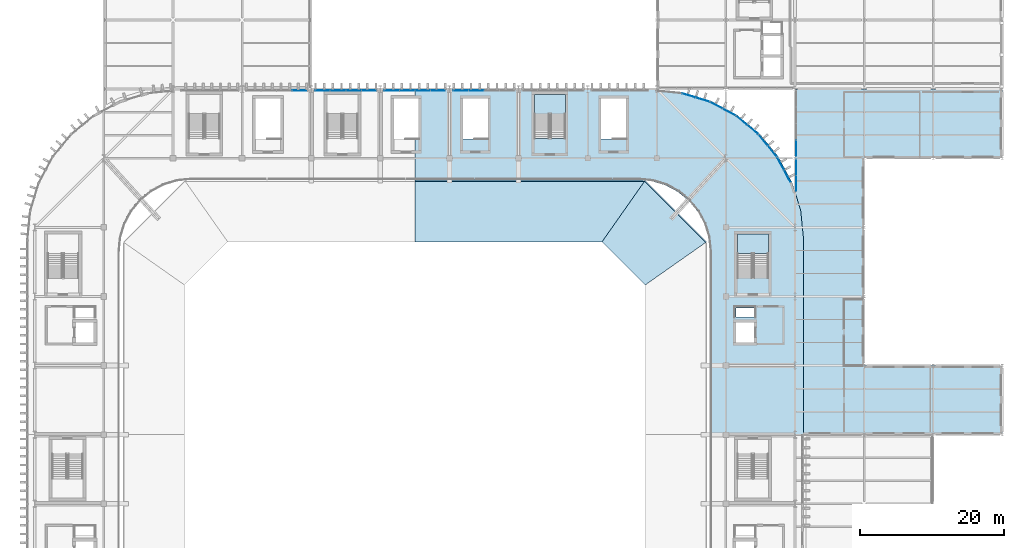
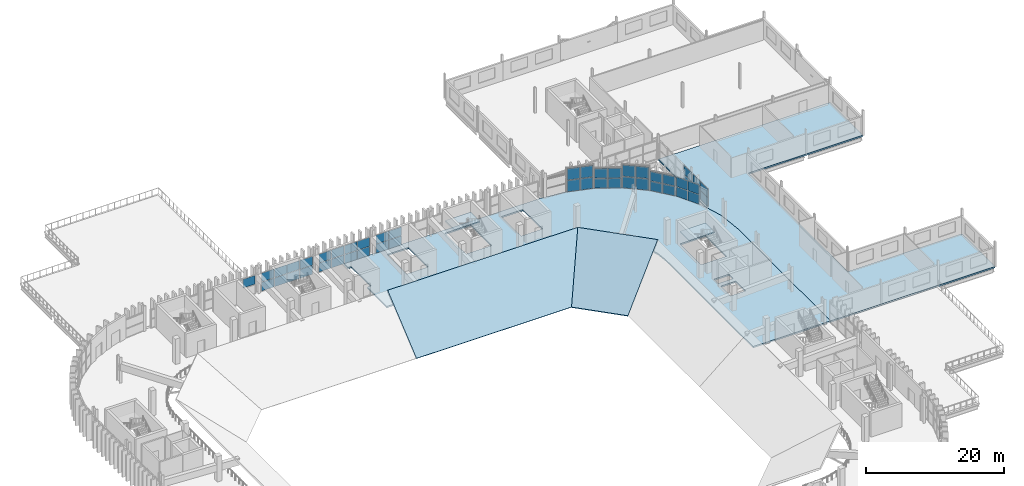
# One storey, part 39 of 69: 47 plates, 6 slabs, 13 elements without a shape of their own.
"""IFC4 building model written with IfcOpenShell, lengths in metres."""

from ifc_helpers import new_model, si_unit, direction, frame, origin, origin_2d, place, context, subcontext, project, spatial, polyline, rectangle, outline, extrude, material, layer, layer_set, type_object, element, aggregate, save


model = new_model("IFC4")

# Units and contexts
model_context = context("Model", 3, precision=1e-05, world=origin(), true_north=direction((0.0, 1.0)))
body_context = subcontext(model_context, "Body", "Model", "MODEL_VIEW")
ifc_project = project(units=[si_unit("LENGTHUNIT", "METRE"), si_unit("AREAUNIT", "SQUARE_METRE"), si_unit("VOLUMEUNIT", "CUBIC_METRE"), si_unit("PLANEANGLEUNIT", "RADIAN"), si_unit("MASSUNIT", "GRAM", prefix="KILO")], contexts=[model_context])

# Site, building, storey
site_placement = place(None, origin())
site = spatial("IfcSite", under=ifc_project, at=site_placement, CompositionType="ELEMENT")
building_placement = place(site_placement, origin())
building = spatial("IfcBuilding", under=site, at=building_placement, Name="Caelomonte Colonnade Arena", CompositionType="ELEMENT")
storey_placement = place(building_placement, frame((0.0, 0.0, 18.60009765625)))
storey = spatial("IfcBuildingStorey", under=building, at=storey_placement, Name="L04", CompositionType="ELEMENT", Elevation=18.60009765625)

# Curtain wall, plates
ifc_material_1 = material(Name="Bronze anodised aluminium and low-E glazing", Category="aluminium")
ifc_layer_1 = layer(ifc_material_1, 0.179931640625)
ifc_layer_set_1 = layer_set([ifc_layer_1], Name="Bronze anodised aluminium and low-E glazing")
curtain_wall_type_1 = type_object("IfcCurtainWallType", Name="ENV-CW-CW-L04-96-33", PredefinedType="USERDEFINED", material=ifc_layer_set_1)
curtain_wall_1_placement = place(storey_placement, origin())
curtain_wall_1 = element("IfcCurtainWall", 1, at=curtain_wall_1_placement, inside=storey, type_object=curtain_wall_type_1, Name="L04 unitized curtain wall CW-L04-1634-1104", ObjectType="UNITIZED CURTAIN WALL", PredefinedType="USERDEFINED")
ifc_material_2 = material(Name="Solar-control bronze low-E double glazing", Category="glass")
ifc_layer_2 = layer(ifc_material_2, 0.035888671875)
ifc_layer_set_2 = layer_set([ifc_layer_2], Name="Solar-control bronze low-E double glazing")
plate_type = type_object("IfcPlateType", Name="ENV-CW-PAN36", PredefinedType="CURTAIN_PANEL", material=ifc_layer_set_2)
plate_1_placement = place(storey_placement, frame((163.3798828125, 106.947998046875, 0.06982421875), z_axis=(0.0, 0.0, 1.0), x_axis=(0.0, -1.0, 0.0)))
plate_1 = element("IfcPlate", 2, at=plate_1_placement, type_object=plate_type, Name="CW-L04-96-33 panel 4.1", PredefinedType="CURTAIN_PANEL", context=body_context, shape_type="SweptSolid", body=[
    extrude(rectangle(XDim=2.2080078125, YDim=0.035888671875, at=origin_2d()), origin(), (0.0, 0.0, 1.0), 1.551513671875),
])
plate_2_placement = place(storey_placement, frame((163.3798828125, 106.947998046875, 1.69140625), z_axis=(0.0, 0.0, 1.0), x_axis=(0.0, -1.0, 0.0)))
plate_2 = element("IfcPlate", 3, at=plate_2_placement, type_object=plate_type, Name="CW-L04-96-33 panel 4.2", PredefinedType="CURTAIN_PANEL", context=body_context, shape_type="SweptSolid", body=[
    extrude(rectangle(XDim=2.2080078125, YDim=0.035888671875, at=origin_2d()), origin(), (0.0, 0.0, 1.0), 1.551513671875),
])
aggregate(curtain_wall_1, [plate_1, plate_2])

ifc_layer_3 = layer(ifc_material_1, 0.179931640625)
ifc_layer_set_3 = layer_set([ifc_layer_3], Name="Bronze anodised aluminium and low-E glazing")
curtain_wall_type_2 = type_object("IfcCurtainWallType", Name="ENV-CW-CW-L04-48-33", PredefinedType="USERDEFINED", material=ifc_layer_set_3)
curtain_wall_2_placement = place(storey_placement, origin())
curtain_wall_2 = element("IfcCurtainWall", 4, at=curtain_wall_2_placement, inside=storey, type_object=curtain_wall_type_2, Name="L04 unitized curtain wall CW-L04-1634-1032", ObjectType="UNITIZED CURTAIN WALL", PredefinedType="USERDEFINED")
plate_3_placement = place(storey_placement, frame((163.3798828125, 104.293212890625, 0.06982421875), z_axis=(0.0, 0.0, 1.0), x_axis=(0.0, -1.0, 0.0)))
plate_3 = element("IfcPlate", 5, at=plate_3_placement, type_object=plate_type, Name="CW-L04-48-33 panel 1.1", PredefinedType="CURTAIN_PANEL", context=body_context, shape_type="SweptSolid", body=[
    extrude(rectangle(XDim=2.125732421875, YDim=0.035888671875, at=origin_2d()), origin(), (0.0, 0.0, 1.0), 1.551513671875),
])
plate_4_placement = place(storey_placement, frame((163.3798828125, 104.293212890625, 1.69140625), z_axis=(0.0, 0.0, 1.0), x_axis=(0.0, -1.0, 0.0)))
plate_4 = element("IfcPlate", 6, at=plate_4_placement, type_object=plate_type, Name="CW-L04-48-33 panel 1.2", PredefinedType="CURTAIN_PANEL", context=body_context, shape_type="SweptSolid", body=[
    extrude(rectangle(XDim=2.125732421875, YDim=0.035888671875, at=origin_2d()), origin(), (0.0, 0.0, 1.0), 1.551513671875),
])
plate_5_placement = place(storey_placement, frame((163.3798828125, 102.097412109375, 0.06982421875), z_axis=(0.0, 0.0, 1.0), x_axis=(0.0, -1.0, 0.0)))
plate_5 = element("IfcPlate", 7, at=plate_5_placement, type_object=plate_type, Name="CW-L04-48-33 panel 2.1", PredefinedType="CURTAIN_PANEL", context=body_context, shape_type="SweptSolid", body=[
    extrude(rectangle(XDim=2.125732421875, YDim=0.035888671875, at=origin_2d()), origin(), (0.0, 0.0, 1.0), 1.551513671875),
])
plate_6_placement = place(storey_placement, frame((163.3798828125, 102.097412109375, 1.69140625), z_axis=(0.0, 0.0, 1.0), x_axis=(0.0, -1.0, 0.0)))
plate_6 = element("IfcPlate", 8, at=plate_6_placement, type_object=plate_type, Name="CW-L04-48-33 panel 2.2", PredefinedType="CURTAIN_PANEL", context=body_context, shape_type="SweptSolid", body=[
    extrude(rectangle(XDim=2.125732421875, YDim=0.035888671875, at=origin_2d()), origin(), (0.0, 0.0, 1.0), 1.551513671875),
])
aggregate(curtain_wall_2, [plate_3, plate_4, plate_5, plate_6])

ifc_layer_4 = layer(ifc_material_1, 0.179931640625)
ifc_layer_set_4 = layer_set([ifc_layer_4], Name="Bronze anodised aluminium and low-E glazing")
curtain_wall_type_3 = type_object("IfcCurtainWallType", Name="ENV-CW-CW-L04-44-36", PredefinedType="USERDEFINED", material=ifc_layer_set_4)
curtain_wall_3_placement = place(storey_placement, origin())
curtain_wall_3 = element("IfcCurtainWall", 9, at=curtain_wall_3_placement, inside=storey, type_object=curtain_wall_type_3, Name="L04 unitized curtain wall CW-L04-1617-1040", ObjectType="UNITIZED CURTAIN WALL", PredefinedType="USERDEFINED")
plate_7_placement = place(storey_placement, frame((162.139892578125, 103.09228515625, 0.070068359375), z_axis=(0.0, 0.0, 1.0), x_axis=(-0.471394212466, 0.881922613642, 0.0)))
plate_7 = element("IfcPlate", 10, at=plate_7_placement, type_object=plate_type, Name="CW-L04-44-36 panel 1.1", PredefinedType="CURTAIN_PANEL", context=body_context, shape_type="SweptSolid", body=[
    extrude(rectangle(XDim=1.913330078125, YDim=0.035888671875, at=origin_2d()), origin(), (0.0, 0.0, 1.0), 1.67578125),
])
plate_8_placement = place(storey_placement, frame((162.139892578125, 103.09228515625, 1.81591796875), z_axis=(0.0, 0.0, 1.0), x_axis=(-0.471394212466, 0.881922613642, 0.0)))
plate_8 = element("IfcPlate", 11, at=plate_8_placement, type_object=plate_type, Name="CW-L04-44-36 panel 1.2", PredefinedType="CURTAIN_PANEL", context=body_context, shape_type="SweptSolid", body=[
    extrude(rectangle(XDim=1.913330078125, YDim=0.035888671875, at=origin_2d()), origin(), (0.0, 0.0, 1.0), 1.67578125),
])
plate_9_placement = place(storey_placement, frame((161.205078125, 104.841552734375, 0.070068359375), z_axis=(0.0, 0.0, 1.0), x_axis=(-0.471394212466, 0.881922613642, 0.0)))
plate_9 = element("IfcPlate", 12, at=plate_9_placement, type_object=plate_type, Name="CW-L04-44-36 panel 2.1", PredefinedType="CURTAIN_PANEL", context=body_context, shape_type="SweptSolid", body=[
    extrude(rectangle(XDim=1.913330078125, YDim=0.035888671875, at=origin_2d()), origin(), (0.0, 0.0, 1.0), 1.67578125),
])
plate_10_placement = place(storey_placement, frame((161.205078125, 104.841552734375, 1.81591796875), z_axis=(0.0, 0.0, 1.0), x_axis=(-0.471394212466, 0.881922613642, 0.0)))
plate_10 = element("IfcPlate", 13, at=plate_10_placement, type_object=plate_type, Name="CW-L04-44-36 panel 2.2", PredefinedType="CURTAIN_PANEL", context=body_context, shape_type="SweptSolid", body=[
    extrude(rectangle(XDim=1.913330078125, YDim=0.035888671875, at=origin_2d()), origin(), (0.0, 0.0, 1.0), 1.67578125),
])
aggregate(curtain_wall_3, [plate_7, plate_8, plate_9, plate_10])

curtain_wall_4_placement = place(storey_placement, origin())
curtain_wall_4 = element("IfcCurtainWall", 14, at=curtain_wall_4_placement, inside=storey, type_object=curtain_wall_type_3, Name="L04 unitized curtain wall CW-L04-1594-1073", ObjectType="UNITIZED CURTAIN WALL", PredefinedType="USERDEFINED")
plate_11_placement = place(storey_placement, frame((160.045166015625, 106.577392578125, 0.070068359375), z_axis=(0.0, 0.0, 1.0), x_axis=(-0.634416071163, 0.772991751994, 0.0)))
plate_11 = element("IfcPlate", 15, at=plate_11_placement, type_object=plate_type, Name="CW-L04-44-36 panel 1.1", PredefinedType="CURTAIN_PANEL", context=body_context, shape_type="SweptSolid", body=[
    extrude(rectangle(XDim=1.913330078125, YDim=0.035888671875, at=origin_2d()), origin(), (0.0, 0.0, 1.0), 1.67578125),
])
plate_12_placement = place(storey_placement, frame((160.045166015625, 106.577392578125, 1.81591796875), z_axis=(0.0, 0.0, 1.0), x_axis=(-0.634416071163, 0.772991751994, 0.0)))
plate_12 = element("IfcPlate", 16, at=plate_12_placement, type_object=plate_type, Name="CW-L04-44-36 panel 1.2", PredefinedType="CURTAIN_PANEL", context=body_context, shape_type="SweptSolid", body=[
    extrude(rectangle(XDim=1.913330078125, YDim=0.035888671875, at=origin_2d()), origin(), (0.0, 0.0, 1.0), 1.67578125),
])
plate_13_placement = place(storey_placement, frame((158.786865234375, 108.1103515625, 0.070068359375), z_axis=(0.0, 0.0, 1.0), x_axis=(-0.634416071163, 0.772991751994, 0.0)))
plate_13 = element("IfcPlate", 17, at=plate_13_placement, type_object=plate_type, Name="CW-L04-44-36 panel 2.1", PredefinedType="CURTAIN_PANEL", context=body_context, shape_type="SweptSolid", body=[
    extrude(rectangle(XDim=1.913330078125, YDim=0.035888671875, at=origin_2d()), origin(), (0.0, 0.0, 1.0), 1.67578125),
])
plate_14_placement = place(storey_placement, frame((158.786865234375, 108.1103515625, 1.81591796875), z_axis=(0.0, 0.0, 1.0), x_axis=(-0.634416071163, 0.772991751994, 0.0)))
plate_14 = element("IfcPlate", 18, at=plate_14_placement, type_object=plate_type, Name="CW-L04-44-36 panel 2.2", PredefinedType="CURTAIN_PANEL", context=body_context, shape_type="SweptSolid", body=[
    extrude(rectangle(XDim=1.913330078125, YDim=0.035888671875, at=origin_2d()), origin(), (0.0, 0.0, 1.0), 1.67578125),
])
aggregate(curtain_wall_4, [plate_11, plate_12, plate_13, plate_14])

ifc_layer_5 = layer(ifc_material_1, 0.179931640625)
ifc_layer_set_5 = layer_set([ifc_layer_5], Name="Bronze anodised aluminium and low-E glazing")
curtain_wall_type_4 = type_object("IfcCurtainWallType", Name="ENV-CW-CW-L04-44-42", PredefinedType="USERDEFINED", material=ifc_layer_set_5)
curtain_wall_5_placement = place(storey_placement, origin())
curtain_wall_5 = element("IfcCurtainWall", 19, at=curtain_wall_5_placement, inside=storey, type_object=curtain_wall_type_4, Name="L04 unitized curtain wall CW-L04-1565-1102", ObjectType="UNITIZED CURTAIN WALL", PredefinedType="USERDEFINED")
plate_15_placement = place(storey_placement, frame((157.310546875, 109.586669921875, 0.06982421875), z_axis=(0.0, 0.0, 1.0), x_axis=(-0.772991751994, 0.634416071163, 0.0)))
plate_15 = element("IfcPlate", 20, at=plate_15_placement, type_object=plate_type, Name="CW-L04-44-42 panel 1.1", PredefinedType="CURTAIN_PANEL", context=body_context, shape_type="SweptSolid", body=[
    extrude(rectangle(XDim=1.913330078125, YDim=0.035888671875, at=origin_2d()), origin(), (0.0, 0.0, 1.0), 2.014892578125),
])
plate_16_placement = place(storey_placement, frame((157.310546875, 109.586669921875, 2.15478515625), z_axis=(0.0, 0.0, 1.0), x_axis=(-0.772991751994, 0.634416071163, 0.0)))
plate_16 = element("IfcPlate", 21, at=plate_16_placement, type_object=plate_type, Name="CW-L04-44-42 panel 1.2", PredefinedType="CURTAIN_PANEL", context=body_context, shape_type="SweptSolid", body=[
    extrude(rectangle(XDim=1.913330078125, YDim=0.035888671875, at=origin_2d()), origin(), (0.0, 0.0, 1.0), 2.014892578125),
])
plate_17_placement = place(storey_placement, frame((155.77734375, 110.844970703125, 0.06982421875), z_axis=(0.0, 0.0, 1.0), x_axis=(-0.772991751994, 0.634416071163, 0.0)))
plate_17 = element("IfcPlate", 22, at=plate_17_placement, type_object=plate_type, Name="CW-L04-44-42 panel 2.1", PredefinedType="CURTAIN_PANEL", context=body_context, shape_type="SweptSolid", body=[
    extrude(rectangle(XDim=1.913330078125, YDim=0.035888671875, at=origin_2d()), origin(), (0.0, 0.0, 1.0), 2.014892578125),
])
plate_18_placement = place(storey_placement, frame((155.77734375, 110.844970703125, 2.15478515625), z_axis=(0.0, 0.0, 1.0), x_axis=(-0.772991751994, 0.634416071163, 0.0)))
plate_18 = element("IfcPlate", 23, at=plate_18_placement, type_object=plate_type, Name="CW-L04-44-42 panel 2.2", PredefinedType="CURTAIN_PANEL", context=body_context, shape_type="SweptSolid", body=[
    extrude(rectangle(XDim=1.913330078125, YDim=0.035888671875, at=origin_2d()), origin(), (0.0, 0.0, 1.0), 2.014892578125),
])
aggregate(curtain_wall_5, [plate_15, plate_16, plate_17, plate_18])

curtain_wall_6_placement = place(storey_placement, origin())
curtain_wall_6 = element("IfcCurtainWall", 24, at=curtain_wall_6_placement, inside=storey, type_object=curtain_wall_type_3, Name="L04 unitized curtain wall CW-L04-1532-1125", ObjectType="UNITIZED CURTAIN WALL", PredefinedType="USERDEFINED")
plate_19_placement = place(storey_placement, frame((154.04150390625, 112.0048828125, 0.06982421875), z_axis=(0.0, 0.0, 1.0), x_axis=(-0.881922613642, 0.471394212466, 0.0)))
plate_19 = element("IfcPlate", 25, at=plate_19_placement, type_object=plate_type, Name="CW-L04-44-36 panel 1.1", PredefinedType="CURTAIN_PANEL", context=body_context, shape_type="SweptSolid", body=[
    extrude(rectangle(XDim=1.913330078125, YDim=0.035888671875, at=origin_2d()), origin(), (0.0, 0.0, 1.0), 1.714111328125),
])
plate_20_placement = place(storey_placement, frame((154.04150390625, 112.0048828125, 1.85400390625), z_axis=(0.0, 0.0, 1.0), x_axis=(-0.881922613642, 0.471394212466, 0.0)))
plate_20 = element("IfcPlate", 26, at=plate_20_placement, type_object=plate_type, Name="CW-L04-44-36 panel 1.2", PredefinedType="CURTAIN_PANEL", context=body_context, shape_type="SweptSolid", body=[
    extrude(rectangle(XDim=1.913330078125, YDim=0.035888671875, at=origin_2d()), origin(), (0.0, 0.0, 1.0), 1.714111328125),
])
plate_21_placement = place(storey_placement, frame((152.292236328125, 112.93994140625, 0.06982421875), z_axis=(0.0, 0.0, 1.0), x_axis=(-0.881922613642, 0.471394212466, 0.0)))
plate_21 = element("IfcPlate", 27, at=plate_21_placement, type_object=plate_type, Name="CW-L04-44-36 panel 2.1", PredefinedType="CURTAIN_PANEL", context=body_context, shape_type="SweptSolid", body=[
    extrude(rectangle(XDim=1.913330078125, YDim=0.035888671875, at=origin_2d()), origin(), (0.0, 0.0, 1.0), 1.714111328125),
])
plate_22_placement = place(storey_placement, frame((152.292236328125, 112.93994140625, 1.85400390625), z_axis=(0.0, 0.0, 1.0), x_axis=(-0.881922613642, 0.471394212466, 0.0)))
plate_22 = element("IfcPlate", 28, at=plate_22_placement, type_object=plate_type, Name="CW-L04-44-36 panel 2.2", PredefinedType="CURTAIN_PANEL", context=body_context, shape_type="SweptSolid", body=[
    extrude(rectangle(XDim=1.913330078125, YDim=0.035888671875, at=origin_2d()), origin(), (0.0, 0.0, 1.0), 1.714111328125),
])
aggregate(curtain_wall_6, [plate_19, plate_20, plate_21, plate_22])

curtain_wall_7_placement = place(storey_placement, origin())
curtain_wall_7 = element("IfcCurtainWall", 29, at=curtain_wall_7_placement, inside=storey, type_object=curtain_wall_type_4, Name="L04 unitized curtain wall CW-L04-1494-1140", ObjectType="UNITIZED CURTAIN WALL", PredefinedType="USERDEFINED")
plate_23_placement = place(storey_placement, frame((150.36328125, 113.739013671875, 0.06982421875), z_axis=(0.0, 0.0, 1.0), x_axis=(-0.956949160999, 0.290255582655, 0.0)))
plate_23 = element("IfcPlate", 30, at=plate_23_placement, type_object=plate_type, Name="CW-L04-44-42 panel 1.1", PredefinedType="CURTAIN_PANEL", context=body_context, shape_type="SweptSolid", body=[
    extrude(rectangle(XDim=1.913330078125, YDim=0.035888671875, at=origin_2d()), origin(), (0.0, 0.0, 1.0), 2.014892578125),
])
plate_24_placement = place(storey_placement, frame((150.36328125, 113.739013671875, 2.15478515625), z_axis=(0.0, 0.0, 1.0), x_axis=(-0.956949160999, 0.290255582655, 0.0)))
plate_24 = element("IfcPlate", 31, at=plate_24_placement, type_object=plate_type, Name="CW-L04-44-42 panel 1.2", PredefinedType="CURTAIN_PANEL", context=body_context, shape_type="SweptSolid", body=[
    extrude(rectangle(XDim=1.913330078125, YDim=0.035888671875, at=origin_2d()), origin(), (0.0, 0.0, 1.0), 2.014892578125),
])
plate_25_placement = place(storey_placement, frame((148.46533203125, 114.314697265625, 0.06982421875), z_axis=(0.0, 0.0, 1.0), x_axis=(-0.956949160999, 0.290255582655, 0.0)))
plate_25 = element("IfcPlate", 32, at=plate_25_placement, type_object=plate_type, Name="CW-L04-44-42 panel 2.1", PredefinedType="CURTAIN_PANEL", context=body_context, shape_type="SweptSolid", body=[
    extrude(rectangle(XDim=1.913330078125, YDim=0.035888671875, at=origin_2d()), origin(), (0.0, 0.0, 1.0), 2.014892578125),
])
plate_26_placement = place(storey_placement, frame((148.46533203125, 114.314697265625, 2.15478515625), z_axis=(0.0, 0.0, 1.0), x_axis=(-0.956949160999, 0.290255582655, 0.0)))
plate_26 = element("IfcPlate", 33, at=plate_26_placement, type_object=plate_type, Name="CW-L04-44-42 panel 2.2", PredefinedType="CURTAIN_PANEL", context=body_context, shape_type="SweptSolid", body=[
    extrude(rectangle(XDim=1.913330078125, YDim=0.035888671875, at=origin_2d()), origin(), (0.0, 0.0, 1.0), 2.014892578125),
])
aggregate(curtain_wall_7, [plate_23, plate_24, plate_25, plate_26])

curtain_wall_8_placement = place(storey_placement, origin())
curtain_wall_8 = element("IfcCurtainWall", 34, at=curtain_wall_8_placement, inside=storey, type_object=curtain_wall_type_1, Name="L04 unitized curtain wall CW-L04-1200-1150", ObjectType="UNITIZED CURTAIN WALL", PredefinedType="USERDEFINED")
plate_27_placement = place(storey_placement, frame((118.9208984375, 115.02001953125, 0.06982421875), z_axis=(0.0, 0.0, 1.0), x_axis=(-1.0, 0.0, 0.0)))
plate_27 = element("IfcPlate", 35, at=plate_27_placement, type_object=plate_type, Name="CW-L04-96-33 panel 3.1", PredefinedType="CURTAIN_PANEL", context=body_context, shape_type="SweptSolid", body=[
    extrude(rectangle(XDim=2.088134765625, YDim=0.035888671875, at=origin_2d()), origin(), (0.0, 0.0, 1.0), 1.551513671875),
])
plate_28_placement = place(storey_placement, frame((118.9208984375, 115.02001953125, 1.69140625), z_axis=(0.0, 0.0, 1.0), x_axis=(-1.0, 0.0, 0.0)))
plate_28 = element("IfcPlate", 36, at=plate_28_placement, type_object=plate_type, Name="CW-L04-96-33 panel 3.2", PredefinedType="CURTAIN_PANEL", context=body_context, shape_type="SweptSolid", body=[
    extrude(rectangle(XDim=2.088134765625, YDim=0.035888671875, at=origin_2d()), origin(), (0.0, 0.0, 1.0), 1.551513671875),
])
plate_29_placement = place(storey_placement, frame((116.780029296875, 115.02001953125, 0.06982421875), z_axis=(0.0, 0.0, 1.0), x_axis=(-1.0, 0.0, 0.0)))
plate_29 = element("IfcPlate", 37, at=plate_29_placement, type_object=plate_type, Name="CW-L04-96-33 panel 4.1", PredefinedType="CURTAIN_PANEL", context=body_context, shape_type="SweptSolid", body=[
    extrude(rectangle(XDim=2.05322265625, YDim=0.035888671875, at=origin_2d()), origin(), (0.0, 0.0, 1.0), 1.551513671875),
])
plate_30_placement = place(storey_placement, frame((116.780029296875, 115.02001953125, 1.69140625), z_axis=(0.0, 0.0, 1.0), x_axis=(-1.0, 0.0, 0.0)))
plate_30 = element("IfcPlate", 38, at=plate_30_placement, type_object=plate_type, Name="CW-L04-96-33 panel 4.2", PredefinedType="CURTAIN_PANEL", context=body_context, shape_type="SweptSolid", body=[
    extrude(rectangle(XDim=2.05322265625, YDim=0.035888671875, at=origin_2d()), origin(), (0.0, 0.0, 1.0), 1.551513671875),
])
aggregate(curtain_wall_8, [plate_27, plate_28, plate_29, plate_30])

curtain_wall_9_placement = place(storey_placement, origin())
curtain_wall_9 = element("IfcCurtainWall", 39, at=curtain_wall_9_placement, inside=storey, type_object=curtain_wall_type_1, Name="L04 unitized curtain wall CW-L04-1104-1150", ObjectType="UNITIZED CURTAIN WALL", PredefinedType="USERDEFINED")
plate_31_placement = place(storey_placement, frame((113.619873046875, 115.02001953125, 0.06982421875), z_axis=(0.0, 0.0, 1.0), x_axis=(-1.0, 0.0, 0.0)))
plate_31 = element("IfcPlate", 40, at=plate_31_placement, type_object=plate_type, Name="CW-L04-96-33 panel 1.1", PredefinedType="CURTAIN_PANEL", context=body_context, shape_type="SweptSolid", body=[
    extrude(rectangle(XDim=2.05322265625, YDim=0.035888671875, at=origin_2d()), origin(), (0.0, 0.0, 1.0), 1.551513671875),
])
plate_32_placement = place(storey_placement, frame((113.619873046875, 115.02001953125, 1.69140625), z_axis=(0.0, 0.0, 1.0), x_axis=(-1.0, 0.0, 0.0)))
plate_32 = element("IfcPlate", 41, at=plate_32_placement, type_object=plate_type, Name="CW-L04-96-33 panel 1.2", PredefinedType="CURTAIN_PANEL", context=body_context, shape_type="SweptSolid", body=[
    extrude(rectangle(XDim=2.05322265625, YDim=0.035888671875, at=origin_2d()), origin(), (0.0, 0.0, 1.0), 1.551513671875),
])
plate_33_placement = place(storey_placement, frame((111.47900390625, 115.02001953125, 0.06982421875), z_axis=(0.0, 0.0, 1.0), x_axis=(-1.0, 0.0, 0.0)))
plate_33 = element("IfcPlate", 42, at=plate_33_placement, type_object=plate_type, Name="CW-L04-96-33 panel 2.1", PredefinedType="CURTAIN_PANEL", context=body_context, shape_type="SweptSolid", body=[
    extrude(rectangle(XDim=2.088134765625, YDim=0.035888671875, at=origin_2d()), origin(), (0.0, 0.0, 1.0), 1.551513671875),
])
plate_34_placement = place(storey_placement, frame((111.47900390625, 115.02001953125, 1.69140625), z_axis=(0.0, 0.0, 1.0), x_axis=(-1.0, 0.0, 0.0)))
plate_34 = element("IfcPlate", 43, at=plate_34_placement, type_object=plate_type, Name="CW-L04-96-33 panel 2.2", PredefinedType="CURTAIN_PANEL", context=body_context, shape_type="SweptSolid", body=[
    extrude(rectangle(XDim=2.088134765625, YDim=0.035888671875, at=origin_2d()), origin(), (0.0, 0.0, 1.0), 1.551513671875),
])
plate_35_placement = place(storey_placement, frame((109.32080078125, 115.02001953125, 0.06982421875), z_axis=(0.0, 0.0, 1.0), x_axis=(-1.0, 0.0, 0.0)))
plate_35 = element("IfcPlate", 44, at=plate_35_placement, type_object=plate_type, Name="CW-L04-96-33 panel 3.1", PredefinedType="CURTAIN_PANEL", context=body_context, shape_type="SweptSolid", body=[
    extrude(rectangle(XDim=2.088134765625, YDim=0.035888671875, at=origin_2d()), origin(), (0.0, 0.0, 1.0), 1.551513671875),
])
plate_36_placement = place(storey_placement, frame((109.32080078125, 115.02001953125, 1.69140625), z_axis=(0.0, 0.0, 1.0), x_axis=(-1.0, 0.0, 0.0)))
plate_36 = element("IfcPlate", 45, at=plate_36_placement, type_object=plate_type, Name="CW-L04-96-33 panel 3.2", PredefinedType="CURTAIN_PANEL", context=body_context, shape_type="SweptSolid", body=[
    extrude(rectangle(XDim=2.088134765625, YDim=0.035888671875, at=origin_2d()), origin(), (0.0, 0.0, 1.0), 1.551513671875),
])
plate_37_placement = place(storey_placement, frame((107.18017578125, 115.02001953125, 0.06982421875), z_axis=(0.0, 0.0, 1.0), x_axis=(-1.0, 0.0, 0.0)))
plate_37 = element("IfcPlate", 46, at=plate_37_placement, type_object=plate_type, Name="CW-L04-96-33 panel 4.1", PredefinedType="CURTAIN_PANEL", context=body_context, shape_type="SweptSolid", body=[
    extrude(rectangle(XDim=2.05322265625, YDim=0.035888671875, at=origin_2d()), origin(), (0.0, 0.0, 1.0), 1.551513671875),
])
plate_38_placement = place(storey_placement, frame((107.18017578125, 115.02001953125, 1.69140625), z_axis=(0.0, 0.0, 1.0), x_axis=(-1.0, 0.0, 0.0)))
plate_38 = element("IfcPlate", 47, at=plate_38_placement, type_object=plate_type, Name="CW-L04-96-33 panel 4.2", PredefinedType="CURTAIN_PANEL", context=body_context, shape_type="SweptSolid", body=[
    extrude(rectangle(XDim=2.05322265625, YDim=0.035888671875, at=origin_2d()), origin(), (0.0, 0.0, 1.0), 1.551513671875),
])
aggregate(curtain_wall_9, [plate_31, plate_32, plate_33, plate_34, plate_35, plate_36, plate_37, plate_38])

curtain_wall_10_placement = place(storey_placement, origin())
curtain_wall_10 = element("IfcCurtainWall", 48, at=curtain_wall_10_placement, inside=storey, type_object=curtain_wall_type_1, Name="L04 unitized curtain wall CW-L04-1008-1150", ObjectType="UNITIZED CURTAIN WALL", PredefinedType="USERDEFINED")
plate_39_placement = place(storey_placement, frame((104.019775390625, 115.02001953125, 0.06982421875), z_axis=(0.0, 0.0, 1.0), x_axis=(-1.0, 0.0, 0.0)))
plate_39 = element("IfcPlate", 49, at=plate_39_placement, type_object=plate_type, Name="CW-L04-96-33 panel 1.1", PredefinedType="CURTAIN_PANEL", context=body_context, shape_type="SweptSolid", body=[
    extrude(rectangle(XDim=2.05322265625, YDim=0.035888671875, at=origin_2d()), origin(), (0.0, 0.0, 1.0), 1.551513671875),
])
plate_40_placement = place(storey_placement, frame((104.019775390625, 115.02001953125, 1.69140625), z_axis=(0.0, 0.0, 1.0), x_axis=(-1.0, 0.0, 0.0)))
plate_40 = element("IfcPlate", 50, at=plate_40_placement, type_object=plate_type, Name="CW-L04-96-33 panel 1.2", PredefinedType="CURTAIN_PANEL", context=body_context, shape_type="SweptSolid", body=[
    extrude(rectangle(XDim=2.05322265625, YDim=0.035888671875, at=origin_2d()), origin(), (0.0, 0.0, 1.0), 1.551513671875),
])
plate_41_placement = place(storey_placement, frame((101.879150390625, 115.02001953125, 0.06982421875), z_axis=(0.0, 0.0, 1.0), x_axis=(-1.0, 0.0, 0.0)))
plate_41 = element("IfcPlate", 51, at=plate_41_placement, type_object=plate_type, Name="CW-L04-96-33 panel 2.1", PredefinedType="CURTAIN_PANEL", context=body_context, shape_type="SweptSolid", body=[
    extrude(rectangle(XDim=2.088134765625, YDim=0.035888671875, at=origin_2d()), origin(), (0.0, 0.0, 1.0), 1.551513671875),
])
plate_42_placement = place(storey_placement, frame((101.879150390625, 115.02001953125, 1.69140625), z_axis=(0.0, 0.0, 1.0), x_axis=(-1.0, 0.0, 0.0)))
plate_42 = element("IfcPlate", 52, at=plate_42_placement, type_object=plate_type, Name="CW-L04-96-33 panel 2.2", PredefinedType="CURTAIN_PANEL", context=body_context, shape_type="SweptSolid", body=[
    extrude(rectangle(XDim=2.088134765625, YDim=0.035888671875, at=origin_2d()), origin(), (0.0, 0.0, 1.0), 1.551513671875),
])
plate_43_placement = place(storey_placement, frame((99.720947265625, 115.02001953125, 0.06982421875), z_axis=(0.0, 0.0, 1.0), x_axis=(-1.0, 0.0, 0.0)))
plate_43 = element("IfcPlate", 53, at=plate_43_placement, type_object=plate_type, Name="CW-L04-96-33 panel 3.1", PredefinedType="CURTAIN_PANEL", context=body_context, shape_type="SweptSolid", body=[
    extrude(rectangle(XDim=2.088134765625, YDim=0.035888671875, at=origin_2d()), origin(), (0.0, 0.0, 1.0), 1.551513671875),
])
plate_44_placement = place(storey_placement, frame((99.720947265625, 115.02001953125, 1.69140625), z_axis=(0.0, 0.0, 1.0), x_axis=(-1.0, 0.0, 0.0)))
plate_44 = element("IfcPlate", 54, at=plate_44_placement, type_object=plate_type, Name="CW-L04-96-33 panel 3.2", PredefinedType="CURTAIN_PANEL", context=body_context, shape_type="SweptSolid", body=[
    extrude(rectangle(XDim=2.088134765625, YDim=0.035888671875, at=origin_2d()), origin(), (0.0, 0.0, 1.0), 1.551513671875),
])
plate_45_placement = place(storey_placement, frame((97.580078125, 115.02001953125, 0.06982421875), z_axis=(0.0, 0.0, 1.0), x_axis=(-1.0, 0.0, 0.0)))
plate_45 = element("IfcPlate", 55, at=plate_45_placement, type_object=plate_type, Name="CW-L04-96-33 panel 4.1", PredefinedType="CURTAIN_PANEL", context=body_context, shape_type="SweptSolid", body=[
    extrude(rectangle(XDim=2.05322265625, YDim=0.035888671875, at=origin_2d()), origin(), (0.0, 0.0, 1.0), 1.551513671875),
])
plate_46_placement = place(storey_placement, frame((97.580078125, 115.02001953125, 1.69140625), z_axis=(0.0, 0.0, 1.0), x_axis=(-1.0, 0.0, 0.0)))
plate_46 = element("IfcPlate", 56, at=plate_46_placement, type_object=plate_type, Name="CW-L04-96-33 panel 4.2", PredefinedType="CURTAIN_PANEL", context=body_context, shape_type="SweptSolid", body=[
    extrude(rectangle(XDim=2.05322265625, YDim=0.035888671875, at=origin_2d()), origin(), (0.0, 0.0, 1.0), 1.551513671875),
])
aggregate(curtain_wall_10, [plate_39, plate_40, plate_41, plate_42, plate_43, plate_44, plate_45, plate_46])

# Curtain wall, plate
curtain_wall_11_placement = place(storey_placement, origin())
curtain_wall_11 = element("IfcCurtainWall", 57, at=curtain_wall_11_placement, inside=storey, type_object=curtain_wall_type_1, Name="L04 unitized curtain wall CW-L04-0912-1150", ObjectType="UNITIZED CURTAIN WALL", PredefinedType="USERDEFINED")
plate_47_placement = place(storey_placement, frame((94.419921875, 115.02001953125, 1.69140625), z_axis=(0.0, 0.0, 1.0), x_axis=(-1.0, 0.0, 0.0)))
plate_47 = element("IfcPlate", 58, at=plate_47_placement, type_object=plate_type, Name="CW-L04-96-33 panel 1.2", PredefinedType="CURTAIN_PANEL", context=body_context, shape_type="SweptSolid", body=[
    extrude(rectangle(XDim=2.05322265625, YDim=0.035888671875, at=origin_2d()), origin(), (0.0, 0.0, 1.0), 1.551513671875),
])
aggregate(curtain_wall_11, [plate_47])

# Stair, slab
ifc_material_3 = material(Name="Concrete C40/50", Category="concrete")
stair_type_1 = type_object("IfcStairType", Name="INT-ST-WING45", PredefinedType="HALF_TURN_STAIR", material=ifc_material_3)
stair_1_placement = place(storey_placement, origin())
stair_1 = element("IfcStair", 59, at=stair_1_placement, inside=storey, type_object=stair_type_1, Name="L04 Core C3 exit stair ST-03", PredefinedType="HALF_TURN_STAIR")
ifc_layer_6 = layer(ifc_material_3, 0.199951171875)
ifc_layer_set_6 = layer_set([ifc_layer_6], Name="Concrete C40/50")
slab_type_1 = type_object("IfcSlabType", Name="INT-SL-LAND20", PredefinedType="LANDING", material=ifc_layer_set_6)
slab_1_placement = place(storey_placement, frame((0.0, 0.0, 2.0498046875)))
slab_1 = element("IfcSlab", 60, at=slab_1_placement, type_object=slab_type_1, Name="ST-03 landing 1", PredefinedType="LANDING", context=body_context, shape_type="SweptSolid", body=[
    extrude(outline(polyline([(159.5, 92.3701171875), (159.5, 95.050048828125), (155.199951171875, 95.050048828125), (155.199951171875, 92.3701171875), (159.5, 92.3701171875)])), origin(), (0.0, 0.0, 1.0), 0.2001953125),
])
aggregate(stair_1, [slab_1])

stair_type_2 = type_object("IfcStairType", Name="INT-ST-CORE45", PredefinedType="HALF_TURN_STAIR", material=ifc_material_3)
stair_2_placement = place(storey_placement, origin())
stair_2 = element("IfcStair", 61, at=stair_2_placement, inside=storey, type_object=stair_type_2, Name="L04 Protected exit stair ST-16", PredefinedType="HALF_TURN_STAIR")
slab_2_placement = place(storey_placement, frame((0.0, 0.0, 2.0498046875)))
slab_2 = element("IfcSlab", 62, at=slab_2_placement, type_object=slab_type_1, Name="ST-16 landing 1", PredefinedType="LANDING", context=body_context, shape_type="SweptSolid", body=[
    extrude(outline(polyline([(131.300048828125, 111.77001953125), (131.300048828125, 114.449951171875), (127.0, 114.449951171875), (127.0, 111.77001953125), (131.300048828125, 111.77001953125)])), origin(), (0.0, 0.0, 1.0), 0.2001953125),
])
aggregate(stair_2, [slab_2])

# Slabs
ifc_layer_7 = layer(ifc_material_3, 0.260009765625)
ifc_layer_set_7 = layer_set([ifc_layer_7], Name="Concrete C40/50")
slab_type_2 = type_object("IfcSlabType", Name="STR-SL-FLR26", PredefinedType="FLOOR", material=ifc_layer_set_7)
slab_3_placement = place(storey_placement, frame((0.0, 0.0, -0.260009765625)))
element("IfcSlab", 63, at=slab_3_placement, inside=storey, type_object=slab_type_2, Name="L04 structural floor slab SL-L04-V1-NE", PredefinedType="FLOOR", context=body_context, shape_type="SweptSolid", body=[
    extrude(outline(polyline([(143.39990234375, 115.199951171875), (110.39990234375, 115.199951171875), (110.39990234375, 114.0), (111.0, 114.0), (111.0, 108.300048828125), (110.39990234375, 108.300048828125), (110.39990234375, 102.60009765625), (141.39990234375, 102.60009765625), (143.350830078125, 102.407958984375), (145.226806640625, 101.8388671875), (146.955810546875, 100.914794921875), (148.47119140625, 99.671142578125), (149.714599609375, 98.15576171875), (150.638916015625, 96.4267578125), (151.2080078125, 94.55078125), (151.39990234375, 92.60009765625), (151.39990234375, 67.199951171875), (164.39990234375, 67.199951171875), (164.39990234375, 94.199951171875), (163.99658203125, 98.296875), (162.801513671875, 102.236328125), (160.86083984375, 105.866943359375), (158.249267578125, 109.04931640625), (155.06689453125, 111.660888671875), (151.436279296875, 113.6015625), (147.496826171875, 114.79638671875), (143.39990234375, 115.199951171875)]), holes=[polyline([(117.0, 108.300048828125), (117.0, 114.0), (120.60009765625, 114.0), (120.60009765625, 108.300048828125), (117.0, 108.300048828125)]), polyline([(154.97998046875, 79.97998046875), (154.97998046875, 82.820068359375), (157.52001953125, 82.820068359375), (157.52001953125, 79.97998046875), (154.97998046875, 79.97998046875)]), polyline([(154.97998046875, 83.580078125), (154.97998046875, 84.820068359375), (157.52001953125, 84.820068359375), (157.52001953125, 83.580078125), (154.97998046875, 83.580078125)]), polyline([(155.199951171875, 88.949951171875), (155.199951171875, 95.050048828125), (159.5, 95.050048828125), (159.5, 88.949951171875), (155.199951171875, 88.949951171875)]), polyline([(136.199951171875, 108.300048828125), (136.199951171875, 114.0), (139.800048828125, 114.0), (139.800048828125, 108.300048828125), (136.199951171875, 108.300048828125)]), polyline([(127.0, 108.35009765625), (127.0, 114.449951171875), (131.300048828125, 114.449951171875), (131.300048828125, 108.35009765625), (127.0, 108.35009765625)])]), origin(), (0.0, 0.0, 1.0), 0.260009765625),
])
slab_4_placement = place(storey_placement, frame((0.0, 0.0, -0.260009765625)))
element("IfcSlab", 64, at=slab_4_placement, inside=storey, type_object=slab_type_2, Name="L04 structural floor slab SL-L04-V4-E", PredefinedType="FLOOR", context=body_context, shape_type="SweptSolid", body=[
    extrude(outline(polyline([(164.39990234375, 67.199951171875), (192.0, 67.199951171875), (192.0, 76.800048828125), (172.800048828125, 76.800048828125), (172.800048828125, 105.60009765625), (192.0, 105.60009765625), (192.0, 115.199951171875), (163.199951171875, 115.199951171875), (163.199951171875, 100.922607421875), (163.99658203125, 98.296875), (164.39990234375, 94.199951171875), (164.39990234375, 67.199951171875)])), origin(), (0.0, 0.0, 1.0), 0.260009765625),
])
ifc_material_4 = material(Name="Precast concrete C40/50", Category="concrete")
ifc_layer_8 = layer(ifc_material_4, 0.25)
ifc_layer_set_8 = layer_set([ifc_layer_8], Name="Precast concrete C40/50")
slab_type_3 = type_object("IfcSlabType", Name="STR-SL-TIER25", PredefinedType="USERDEFINED", material=ifc_layer_set_8)
slab_5_placement = place(storey_placement, frame((142.39990234375, 88.0, -4.0), z_axis=(-0.402477425748, -0.402477425748, 0.822206691487), x_axis=(-0.707106781187, 0.707106781187, 0.0)))
element("IfcSlab", 65, at=slab_5_placement, inside=storey, type_object=slab_type_3, Name="Stand UPPER bowl seating tier sector NE", ObjectType="SEATING TIER", PredefinedType="USERDEFINED", context=body_context, shape_type="SweptSolid", body=[
    extrude(outline(polyline([(0.0, 0.0), (8.485281374238571, 0.0), (10.25287569371344, -12.298198983728454), (-1.76793958645787, -12.298198983728454), (0.0, 0.0)])), origin(), (0.0, 0.0, -1.0), 0.25),
])
slab_6_placement = place(storey_placement, frame((136.39990234375, 94.0, -4.0), z_axis=(0.0, -0.64018879205, 0.768217619255), x_axis=(-1.0, 0.0, 0.0)))
element("IfcSlab", 66, at=slab_6_placement, inside=storey, type_object=slab_type_3, Name="Stand UPPER bowl seating tier sector N1", ObjectType="SEATING TIER", PredefinedType="USERDEFINED", context=body_context, shape_type="SweptSolid", body=[
    extrude(outline(polyline([(0.0, 0.0), (26.0, 0.0), (26.0, -10.934274524838706), (-5.900146484375, -10.934274524838706), (0.0, 0.0)])), origin(), (0.0, 0.0, -1.0), 0.25),
])

save(model, "model.ifc")
